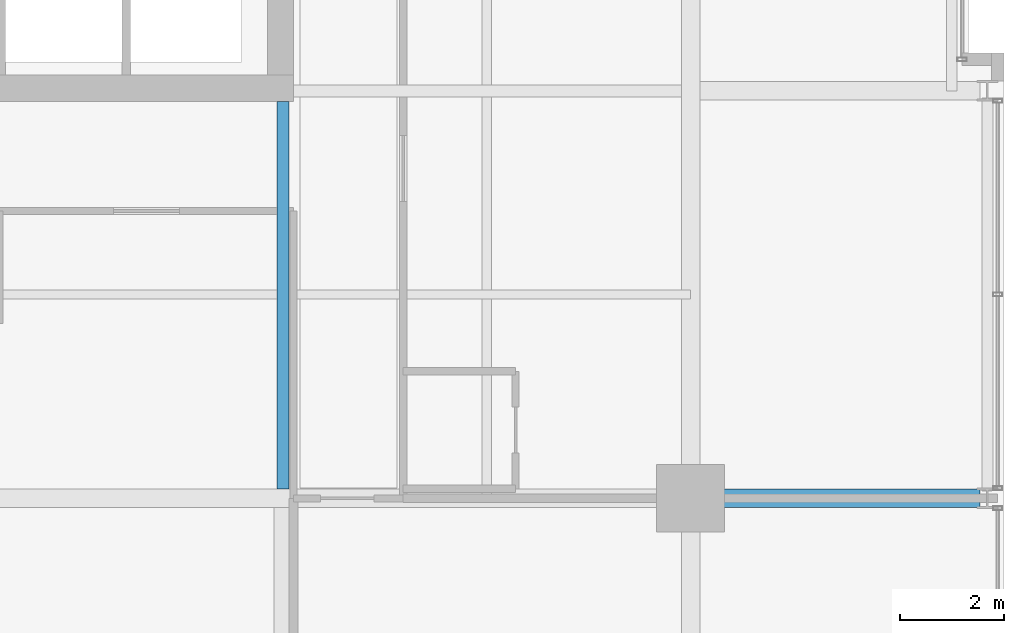
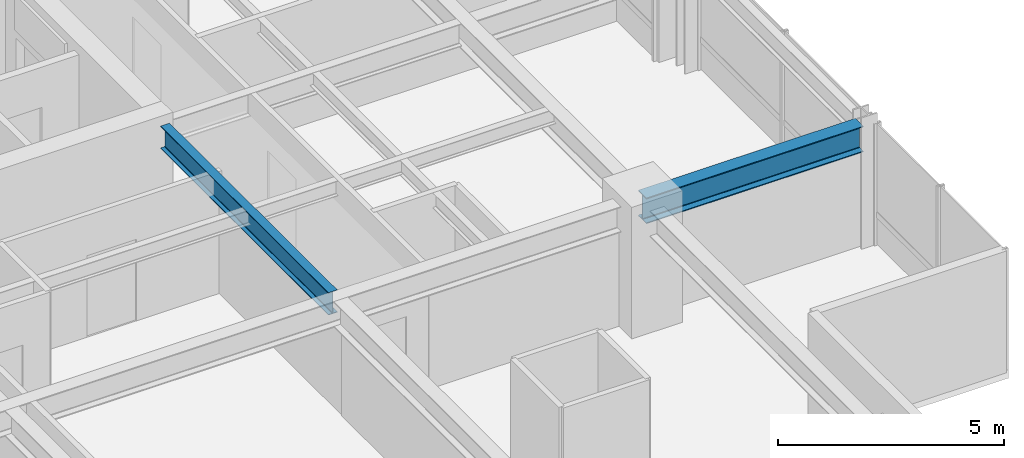
# One storey, part 12 of 32: 2 beams.
"""IFC4 building model written with IfcOpenShell, lengths in metres."""

from ifc_helpers import new_model, si_unit, direction, frame, origin, origin_2d, place, context, subcontext, project, spatial, i_section, extrude, material, material_profile, profile_set, type_object, element, save


model = new_model("IFC4")

# Units and contexts
model_context = context("Model", 3, precision=1e-05, world=origin(), true_north=direction((0.0, 1.0)))
body_context = subcontext(model_context, "Body", "Model", "MODEL_VIEW")
ifc_project = project(units=[si_unit("LENGTHUNIT", "METRE"), si_unit("AREAUNIT", "SQUARE_METRE"), si_unit("VOLUMEUNIT", "CUBIC_METRE"), si_unit("PLANEANGLEUNIT", "RADIAN"), si_unit("MASSUNIT", "GRAM", prefix="KILO")], contexts=[model_context])

# Site, building, storey
site_placement = place(None, origin())
site = spatial("IfcSite", under=ifc_project, at=site_placement, CompositionType="ELEMENT")
building_placement = place(site_placement, origin())
building = spatial("IfcBuilding", under=site, at=building_placement, Name="Drelvath Grand Hotel", CompositionType="ELEMENT")
storey_placement = place(building_placement, frame((0.0, 0.0, 189.449951171875)))
storey = spatial("IfcBuildingStorey", under=building, at=storey_placement, Name="L49", CompositionType="ELEMENT", Elevation=189.449951171875)

# Beams
ifc_material = material(Name="Steel ASTM A992 Gr 50", Category="steel")
ifc_material_profile_1 = material_profile(ifc_material, i_section(OverallWidth=0.228271484375, OverallDepth=0.607666015625, WebThickness=0.01123046875, FlangeThickness=0.017333984375, FilletRadius=0.02001953125, at=origin_2d()), Name="W24X76")
ifc_profile_set_1 = profile_set([ifc_material_profile_1], Name="Steel ASTM A992 Gr 50")
beam_type_1 = type_object("IfcBeamType", Name="Primary Floor Girder W24X76", PredefinedType="BEAM", material=ifc_profile_set_1)
beam_1_placement = place(storey_placement, frame((8.39990234375, 10.977294921875, 2.986328125), z_axis=(0.0, 1.0, 0.0), x_axis=(-1.0, 0.0, 0.0)))
element("IfcBeam", 1, at=beam_1_placement, inside=storey, type_object=beam_type_1, Name="L49 South Core Tie 6", PredefinedType="BEAM", context=body_context, shape_type="SweptSolid", body=[
    extrude(i_section(OverallWidth=0.228271484375, OverallDepth=0.607666015625, WebThickness=0.01123046875, FlangeThickness=0.017333984375, FilletRadius=0.02001953125, at=origin_2d()), origin(), (0.0, 0.0, 1.0), 7.422607421875),
])
ifc_material_profile_2 = material_profile(ifc_material, i_section(OverallWidth=0.354736328125, OverallDepth=0.695556640625, WebThickness=0.015380859375, FlangeThickness=0.025146484375, FilletRadius=0.02392578125, at=origin_2d()), Name="W27X146")
ifc_profile_set_2 = profile_set([ifc_material_profile_2], Name="Steel ASTM A992 Gr 50")
beam_type_2 = type_object("IfcBeamType", Name="Primary Floor Girder W27X146", PredefinedType="BEAM", material=ifc_profile_set_2)
beam_2_placement = place(storey_placement, frame((16.199951171875, 10.800048828125, 2.9423828125), z_axis=(1.0, 0.0, 0.0), x_axis=(0.0, 1.0, 0.0)))
element("IfcBeam", 2, at=beam_2_placement, inside=storey, type_object=beam_type_2, Name="L49 East Grid Girder C", PredefinedType="BEAM", context=body_context, shape_type="SweptSolid", body=[
    extrude(i_section(OverallWidth=0.354736328125, OverallDepth=0.695556640625, WebThickness=0.015380859375, FlangeThickness=0.025146484375, FilletRadius=0.02392578125, at=origin_2d()), origin(), (0.0, 0.0, 1.0), 5.5400390625),
])

save(model, "model.ifc")
